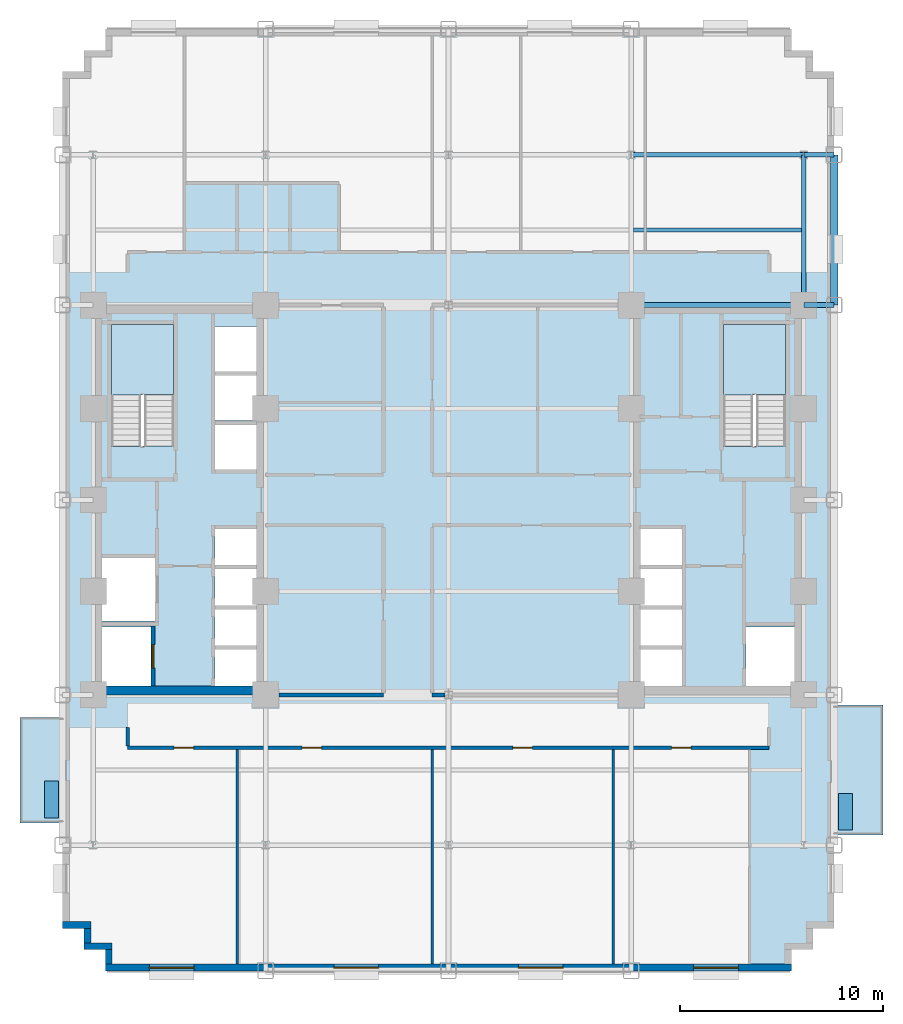
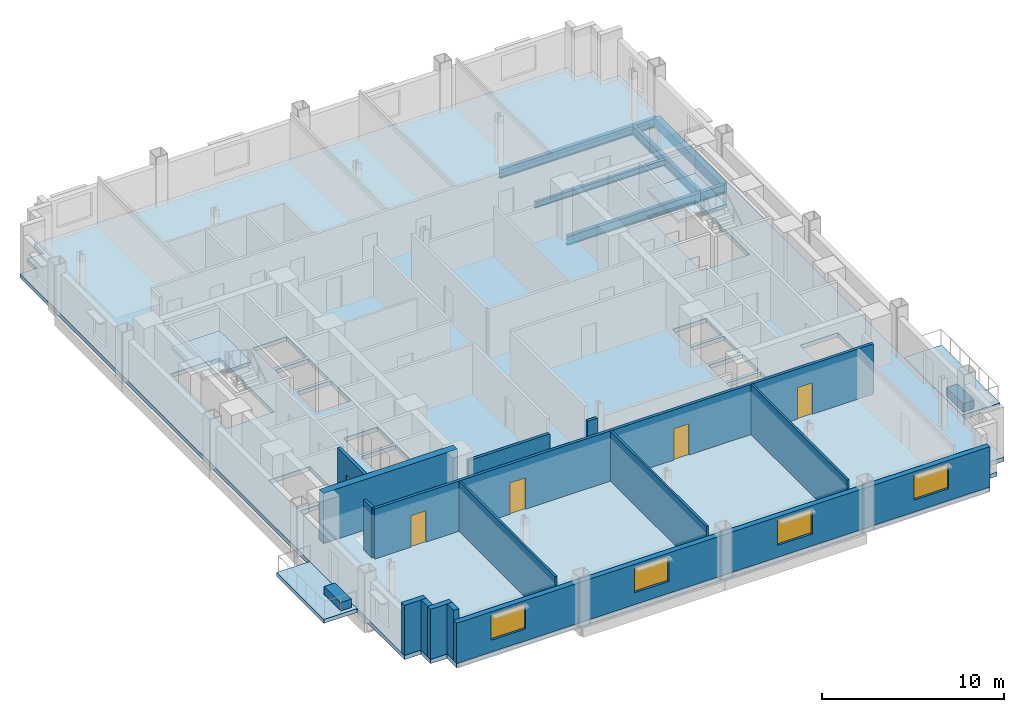
# One storey, part 4 of 12: 14 walls, 7 beams, 5 doors, 5 slabs, 4 windows, 2 plates, 9 openings, 2 elements without a shape of their own.
"""IFC4 building model written with IfcOpenShell, lengths in metres."""

from ifc_helpers import new_model, si_unit, direction, frame, frame_2d, origin, origin_2d, place, context, subcontext, project, spatial, polyline, rectangle, i_section, outline, extrude, source, transform, mapped, material, layer, layer_set, material_profile, profile_set, type_object, type_shapes, element, fill, aggregate, save


model = new_model("IFC4")

# Units and contexts
model_context = context("Model", 3, precision=1e-05, world=origin(), true_north=direction((0.0, 1.0)))
body_context = subcontext(model_context, "Body", "Model", "MODEL_VIEW")
ifc_project = project(units=[si_unit("LENGTHUNIT", "METRE"), si_unit("AREAUNIT", "SQUARE_METRE"), si_unit("VOLUMEUNIT", "CUBIC_METRE"), si_unit("PLANEANGLEUNIT", "RADIAN"), si_unit("MASSUNIT", "GRAM", prefix="KILO")], contexts=[model_context])

# Site, building, storey
site_placement = place(None, origin())
site = spatial("IfcSite", under=ifc_project, at=site_placement, CompositionType="ELEMENT")
building_placement = place(site_placement, origin())
building = spatial("IfcBuilding", under=site, at=building_placement, Name="Nuvemarco Arch Tower", CompositionType="ELEMENT")
storey_placement = place(building_placement, frame((0.0, 0.0, 45.85009765625)))
storey = spatial("IfcBuildingStorey", under=building, at=storey_placement, Name="L11", CompositionType="ELEMENT", Elevation=45.85009765625)

# Beams
ifc_material_1 = material(Name="Steel S355", Category="steel")
ifc_material_profile_1 = material_profile(ifc_material_1, i_section(OverallWidth=0.22998046875, OverallDepth=0.616943359375, WebThickness=0.01318359375, FlangeThickness=0.022216796875, FilletRadius=0.01611328125, at=origin_2d()), Name="W610x140")
ifc_profile_set_1 = profile_set([ifc_material_profile_1], Name="Steel S355")
beam_type_1 = type_object("IfcBeamType", Name="BM-GIRD-610", PredefinedType="BEAM", material=ifc_profile_set_1)
beam_1_placement = place(storey_placement, frame((17.5, 9.60009765625, -0.588623046875), z_axis=(0.0, 1.0, 0.0), x_axis=(-1.0, 0.0, 0.0)))
element("IfcBeam", 1, at=beam_1_placement, inside=storey, type_object=beam_type_1, Name="L11 structural beam BGNS_L11_0_+17.5_+9.6", PredefinedType="BEAM", context=body_context, shape_type="SweptSolid", body=[
    extrude(i_section(OverallWidth=0.22998046875, OverallDepth=0.616943359375, WebThickness=0.01318359375, FlangeThickness=0.022216796875, FilletRadius=0.01611328125, at=origin_2d()), origin(), (0.0, 0.0, 1.0), 7.39990234375),
])
beam_2_placement = place(storey_placement, frame((9.0, 9.60009765625, -0.588623046875), z_axis=(1.0, 0.0, 0.0), x_axis=(0.0, 1.0, 0.0)))
element("IfcBeam", 2, at=beam_2_placement, inside=storey, type_object=beam_type_1, Name="L11 structural beam BGEW_L11_0_+9.6_+9.0", PredefinedType="BEAM", context=body_context, shape_type="SweptSolid", body=[
    extrude(i_section(OverallWidth=0.22998046875, OverallDepth=0.616943359375, WebThickness=0.01318359375, FlangeThickness=0.022216796875, FilletRadius=0.01611328125, at=origin_2d()), origin(), (0.0, 0.0, 1.0), 8.5),
])
beam_3_placement = place(storey_placement, frame((17.5, 9.60009765625, -0.588623046875), z_axis=(1.0, 0.0, 0.0), x_axis=(0.0, 1.0, 0.0)))
element("IfcBeam", 3, at=beam_3_placement, inside=storey, type_object=beam_type_1, Name="L11 structural beam BGEW_L11_0_+9.6_+17.5", PredefinedType="BEAM", context=body_context, shape_type="SweptSolid", body=[
    extrude(i_section(OverallWidth=0.22998046875, OverallDepth=0.616943359375, WebThickness=0.01318359375, FlangeThickness=0.022216796875, FilletRadius=0.01611328125, at=origin_2d()), origin(), (0.0, 0.0, 1.0), 1.5),
])
beam_4_placement = place(storey_placement, frame((9.0, 17.0, -0.588623046875), z_axis=(1.0, 0.0, 0.0), x_axis=(0.0, 1.0, 0.0)))
element("IfcBeam", 4, at=beam_4_placement, inside=storey, type_object=beam_type_1, Name="L11 structural beam BGEW_L11_0_+17.0_+9.0", PredefinedType="BEAM", context=body_context, shape_type="SweptSolid", body=[
    extrude(i_section(OverallWidth=0.22998046875, OverallDepth=0.616943359375, WebThickness=0.01318359375, FlangeThickness=0.022216796875, FilletRadius=0.01611328125, at=origin_2d()), origin(), (0.0, 0.0, 1.0), 8.5),
])
beam_5_placement = place(storey_placement, frame((17.5, 17.0, -0.588623046875), z_axis=(1.0, 0.0, 0.0), x_axis=(0.0, 1.0, 0.0)))
element("IfcBeam", 5, at=beam_5_placement, inside=storey, type_object=beam_type_1, Name="L11 structural beam BGEW_L11_0_+17.0_+17.5", PredefinedType="BEAM", context=body_context, shape_type="SweptSolid", body=[
    extrude(i_section(OverallWidth=0.22998046875, OverallDepth=0.616943359375, WebThickness=0.01318359375, FlangeThickness=0.022216796875, FilletRadius=0.01611328125, at=origin_2d()), origin(), (0.0, 0.0, 1.0), 1.5),
])
ifc_material_profile_2 = material_profile(ifc_material_1, i_section(OverallWidth=0.179931640625, OverallDepth=0.4130859375, WebThickness=0.009765625, FlangeThickness=0.01611328125, FilletRadius=0.014892578125, at=origin_2d()), Name="W410x75")
ifc_profile_set_2 = profile_set([ifc_material_profile_2], Name="Steel S355")
beam_type_2 = type_object("IfcBeamType", Name="BM-JOIST-410", PredefinedType="JOIST", material=ifc_profile_set_2)
beam_6_placement = place(storey_placement, frame((9.114990234375, 13.300048828125, -0.486572265625), z_axis=(1.0, 0.0, 0.0), x_axis=(0.0, 1.0, 0.0)))
element("IfcBeam", 6, at=beam_6_placement, inside=storey, type_object=beam_type_2, Name="L11 structural beam BJ_L11_0_+13.3_+9.0", PredefinedType="JOIST", context=body_context, shape_type="SweptSolid", body=[
    extrude(i_section(OverallWidth=0.179931640625, OverallDepth=0.4130859375, WebThickness=0.009765625, FlangeThickness=0.01611328125, FilletRadius=0.014892578125, at=origin_2d()), origin(), (0.0, 0.0, 1.0), 8.27001953125),
])
ifc_material_2 = material(Name="Precast concrete C45/55", Category="concrete")
ifc_material_profile_3 = material_profile(ifc_material_2, rectangle(XDim=0.35009765625, YDim=0.64990234375, at=origin_2d()), Name="PC-SP-350x650")
ifc_profile_set_3 = profile_set([ifc_material_profile_3], Name="Precast concrete C45/55")
beam_type_3 = type_object("IfcBeamType", Name="BM-SPAN-RC", PredefinedType="SPANDREL", material=ifc_profile_set_3)
beam_7_placement = place(storey_placement, frame((19.0, 9.60009765625, -0.60498046875), z_axis=(0.0, 1.0, 0.0), x_axis=(-1.0, 0.0, 0.0)))
element("IfcBeam", 7, at=beam_7_placement, inside=storey, type_object=beam_type_3, Name="L11 structural beam BGNS_L11_0_+19.0_+9.6", PredefinedType="SPANDREL", context=body_context, shape_type="SweptSolid", body=[
    extrude(rectangle(XDim=0.35009765625, YDim=0.64990234375, at=origin_2d()), origin(), (0.0, 0.0, 1.0), 7.39990234375),
])

# Slab
ifc_material_3 = material(Name="Concrete C50/60", Category="concrete")
ifc_layer_1 = layer(ifc_material_3, 0.280029296875, Name="SL-FLR-280")
ifc_layer_set_1 = layer_set([ifc_layer_1], Name="Concrete C50/60")
slab_type_1 = type_object("IfcSlabType", Name="SL-FLR-280", PredefinedType="FLOOR", material=ifc_layer_set_1)
slab_1_placement = place(storey_placement, frame((0.0, 0.0, -0.280029296875)))
element("IfcSlab", 8, at=slab_1_placement, inside=storey, type_object=slab_type_1, Name="L11 structural floor slab", PredefinedType="FLOOR", context=body_context, shape_type="SweptSolid", body=[
    extrude(outline(polyline([(-16.89990234375, -23.199951171875), (16.89990234375, -23.199951171875), (16.89990234375, -22.14990234375), (17.949951171875, -22.14990234375), (17.949951171875, -21.10009765625), (19.0, -21.10009765625), (19.0, 21.10009765625), (17.949951171875, 21.10009765625), (17.949951171875, 22.14990234375), (16.89990234375, 22.14990234375), (16.89990234375, 23.199951171875), (-16.89990234375, 23.199951171875), (-16.89990234375, 22.14990234375), (-17.949951171875, 22.14990234375), (-17.949951171875, 21.10009765625), (-19.0, 21.10009765625), (-19.0, -21.10009765625), (-17.949951171875, -21.10009765625), (-17.949951171875, -22.14990234375), (-16.89990234375, -22.14990234375), (-16.89990234375, -23.199951171875)]), holes=[polyline([(-13.5400390625, 2.669921875), (-13.5400390625, 8.64990234375), (-16.60009765625, 8.64990234375), (-16.60009765625, 2.630615234375), (-15.070068359375, 2.630615234375), (-15.070068359375, 2.669921875), (-13.5400390625, 2.669921875)]), polyline([(16.60009765625, 2.669921875), (16.60009765625, 8.64990234375), (13.5400390625, 8.64990234375), (13.5400390625, 2.630615234375), (15.070068359375, 2.630615234375), (15.070068359375, 2.669921875), (16.60009765625, 2.669921875)]), polyline([(-17.050048828125, -9.14990234375), (-14.64990234375, -9.14990234375), (-14.64990234375, -6.25), (-17.050048828125, -6.25), (-17.050048828125, -9.14990234375)]), polyline([(-17.050048828125, -5.949951171875), (-14.449951171875, -5.949951171875), (-14.449951171875, -2.85009765625), (-17.050048828125, -2.85009765625), (-17.050048828125, -5.949951171875)]), polyline([(-11.5, -9.14990234375), (-9.35009765625, -9.14990234375), (-9.35009765625, -7.3701171875), (-11.5, -7.3701171875), (-11.5, -9.14990234375)]), polyline([(-11.5, -7.169921875), (-9.35009765625, -7.169921875), (-9.35009765625, -5.389892578125), (-11.5, -5.389892578125), (-11.5, -7.169921875)]), polyline([(-11.5, -5.18994140625), (-9.35009765625, -5.18994140625), (-9.35009765625, -3.409912109375), (-11.5, -3.409912109375), (-11.5, -5.18994140625)]), polyline([(-11.5, -3.2099609375), (-9.35009765625, -3.2099609375), (-9.35009765625, -1.429931640625), (-11.5, -1.429931640625), (-11.5, -3.2099609375)]), polyline([(-11.5, 1.5), (-9.35009765625, 1.5), (-9.35009765625, 3.699951171875), (-11.5, 3.699951171875), (-11.5, 1.5)]), polyline([(-11.5, 3.919921875), (-9.35009765625, 3.919921875), (-9.35009765625, 6.1201171875), (-11.5, 6.1201171875), (-11.5, 3.919921875)]), polyline([(-11.5, 6.340087890625), (-9.35009765625, 6.340087890625), (-9.35009765625, 8.5400390625), (-11.5, 8.5400390625), (-11.5, 6.340087890625)]), polyline([(14.64990234375, -9.14990234375), (17.050048828125, -9.14990234375), (17.050048828125, -6.25), (14.64990234375, -6.25), (14.64990234375, -9.14990234375)]), polyline([(9.35009765625, -9.14990234375), (11.5, -9.14990234375), (11.5, -7.3701171875), (9.35009765625, -7.3701171875), (9.35009765625, -9.14990234375)]), polyline([(9.35009765625, -7.169921875), (11.5, -7.169921875), (11.5, -5.389892578125), (9.35009765625, -5.389892578125), (9.35009765625, -7.169921875)]), polyline([(9.35009765625, -5.18994140625), (11.5, -5.18994140625), (11.5, -3.409912109375), (9.35009765625, -3.409912109375), (9.35009765625, -5.18994140625)]), polyline([(9.35009765625, -3.2099609375), (11.5, -3.2099609375), (11.5, -1.429931640625), (9.35009765625, -1.429931640625), (9.35009765625, -3.2099609375)])]), origin(), (0.0, 0.0, 1.0), 0.280029296875),
])

# Stair, slab
stair_type = type_object("IfcStairType", Name="ST-CORE-20R", PredefinedType="HALF_TURN_STAIR", material=ifc_material_2)
stair_1_placement = place(storey_placement, origin())
stair_1 = element("IfcStair", 9, at=stair_1_placement, inside=storey, type_object=stair_type, Name="L11 Protected Exit Stair ST-1", PredefinedType="HALF_TURN_STAIR")
ifc_layer_2 = layer(ifc_material_2, 0.199951171875, Name="SL-LANDING-200")
ifc_layer_set_2 = layer_set([ifc_layer_2], Name="Precast concrete C45/55")
slab_type_2 = type_object("IfcSlabType", Name="SL-LANDING-200", PredefinedType="LANDING", material=ifc_layer_set_2)
slab_2_placement = place(storey_placement, frame((0.0, 0.0, 1.625)))
slab_2 = element("IfcSlab", 10, at=slab_2_placement, type_object=slab_type_2, Name="ST-20R landing 1", PredefinedType="LANDING", context=body_context, shape_type="SweptSolid", body=[
    extrude(outline(polyline([(-13.5400390625, 5.189453125), (-13.5400390625, 8.64990234375), (-16.60009765625, 8.64990234375), (-16.60009765625, 5.169921875), (-15.070068359375, 5.169921875), (-15.070068359375, 5.189453125), (-13.5400390625, 5.189453125)])), origin(), (0.0, 0.0, 1.0), 0.199951171875),
])
aggregate(stair_1, [slab_2])

stair_2_placement = place(storey_placement, origin())
stair_2 = element("IfcStair", 11, at=stair_2_placement, inside=storey, type_object=stair_type, Name="L11 Protected Exit Stair ST-2", PredefinedType="HALF_TURN_STAIR")
slab_3_placement = place(storey_placement, frame((0.0, 0.0, 1.625)))
slab_3 = element("IfcSlab", 12, at=slab_3_placement, type_object=slab_type_2, Name="ST-20R landing 1", PredefinedType="LANDING", context=body_context, shape_type="SweptSolid", body=[
    extrude(outline(polyline([(16.60009765625, 5.189453125), (16.60009765625, 8.64990234375), (13.5400390625, 8.64990234375), (13.5400390625, 5.169921875), (15.070068359375, 5.169921875), (15.070068359375, 5.189453125), (16.60009765625, 5.189453125)])), origin(), (0.0, 0.0, 1.0), 0.199951171875),
])
aggregate(stair_2, [slab_3])

# Slabs
ifc_layer_3 = layer(ifc_material_3, 0.264892578125, Name="SL-TB1")
ifc_layer_set_3 = layer_set([ifc_layer_3], Name="Concrete C50/60")
slab_type_3 = type_object("IfcSlabType", Name="SL-TB1", PredefinedType="FLOOR", material=ifc_layer_set_3)
slab_4_placement = place(storey_placement, frame((0.0, 0.0, -0.26513671875)))
element("IfcSlab", 13, at=slab_4_placement, inside=storey, type_object=slab_type_3, Name="L11 outdoor tree balcony slab 2", PredefinedType="FLOOR", context=body_context, shape_type="SweptSolid", body=[
    extrude(outline(polyline([(-21.10009765625, -15.89990234375), (-19.0, -15.89990234375), (-19.0, -10.699951171875), (-21.10009765625, -10.699951171875), (-21.10009765625, -15.89990234375)])), origin(), (0.0, 0.0, 1.0), 0.26513671875),
])
ifc_layer_4 = layer(ifc_material_3, 0.294921875, Name="SL-TR4")
ifc_layer_set_4 = layer_set([ifc_layer_4], Name="Concrete C50/60")
slab_type_4 = type_object("IfcSlabType", Name="SL-TR4", PredefinedType="FLOOR", material=ifc_layer_set_4)
slab_5_placement = place(storey_placement, frame((0.0, 0.0, -0.295166015625)))
element("IfcSlab", 14, at=slab_5_placement, inside=storey, type_object=slab_type_4, Name="L11 outdoor spiral terrace slab 1", PredefinedType="FLOOR", context=body_context, shape_type="SweptSolid", body=[
    extrude(outline(polyline([(19.0, -16.5), (21.39990234375, -16.5), (21.39990234375, -10.10009765625), (19.0, -10.10009765625), (19.0, -16.5)])), origin(), (0.0, 0.0, 1.0), 0.295166015625),
])

# Plates
ifc_layer_5 = layer(ifc_material_2, 0.550048828125, Name="Tree Balcony Structural Planter")
ifc_layer_set_5 = layer_set([ifc_layer_5], Name="Precast concrete C45/55")
plate_type = type_object("IfcPlateType", Name="Tree Balcony Structural Planter", PredefinedType="USERDEFINED", material=ifc_layer_set_5)
shared_shape_1 = source(origin(), body_context, "Body", "SweptSolid", [
    extrude(rectangle(XDim=1.800048828125, YDim=0.699951171875, at=origin_2d()), origin(), (0.0, 0.0, 1.0), 0.550048828125),
])
type_shapes(plate_type, [shared_shape_1])
for number, where, z_axis, x_axis, name in (
    (15, (19.550048828125, -15.35009765625, 0.0), (0.0, 0.0, 1.0), (0.0, 1.0, 0.0), "L11 Tree Balcony Structural Planter"),
    (16, (-19.550048828125, -14.75, 0.0), (0.0, 0.0, 1.0), (0.0, 1.0, 0.0), "L11 Tree Balcony Structural Planter"),
):
    element("IfcPlate", number, at=place(storey_placement, frame(where, z_axis=z_axis, x_axis=x_axis)), inside=storey, type_object=plate_type, Name=name, ObjectType="PLANTER", PredefinedType="USERDEFINED", context=body_context, shape_type="MappedRepresentation", body=[
        mapped(shared_shape_1, transform((0.0, 0.0, 0.0), scale=1.0)),
    ])

# Wall, openings, windows
ifc_layer_6 = layer(ifc_material_2, 0.340087890625, Name="EW-LOW-340")
ifc_layer_set_6 = layer_set([ifc_layer_6], Name="Precast concrete C45/55")
wall_type_1 = type_object("IfcWallType", Name="EW-LOW-340", PredefinedType="STANDARD", material=ifc_layer_set_6)
wall_1_placement = place(storey_placement, frame((-16.89990234375, -23.030029296875, 0.0), z_axis=(0.0, 0.0, 1.0), x_axis=(1.0, 0.0, 0.0)))
wall_1 = element("IfcWall", 17, at=wall_1_placement, inside=storey, type_object=wall_type_1, Name="L11 exterior precast facade wall 1", PredefinedType="STANDARD", context=body_context, shape_type="SweptSolid", body=[
    extrude(rectangle(XDim=33.7998046875, YDim=0.340087890625, at=frame_2d((16.89990234375, 0.0))), origin(), (0.0, 0.0, 1.0), 2.704833984375),
])
opening_1_placement = place(wall_1_placement, frame((2.17138671875, 0.0, 0.800048828125)))
opening_1 = element("IfcOpeningElement", 18, at=opening_1_placement, cuts=wall_1, Name="Opening WN-3", PredefinedType="OPENING", context=body_context, shape_type="SweptSolid", body=[
    extrude(rectangle(XDim=2.199951171875, YDim=1.64990234375, at=frame_2d((1.10009765625, 0.824951171875))), frame((0.0, 0.179931640625, 0.0), z_axis=(0.0, -1.0, 0.0), x_axis=(1.0, 0.0, 0.0)), (0.0, 0.0, 1.0), 0.360107421875),
])
opening_2_placement = place(wall_1_placement, frame((11.257080078125, 0.0, 0.800048828125)))
opening_2 = element("IfcOpeningElement", 19, at=opening_2_placement, cuts=wall_1, Name="Opening WN-3", PredefinedType="OPENING", context=body_context, shape_type="SweptSolid", body=[
    extrude(rectangle(XDim=2.199951171875, YDim=1.64990234375, at=frame_2d((1.10009765625, 0.824951171875))), frame((0.0, 0.179931640625, 0.0), z_axis=(0.0, -1.0, 0.0), x_axis=(1.0, 0.0, 0.0)), (0.0, 0.0, 1.0), 0.360107421875),
])
opening_3_placement = place(wall_1_placement, frame((20.343017578125, 0.0, 0.800048828125)))
opening_3 = element("IfcOpeningElement", 20, at=opening_3_placement, cuts=wall_1, Name="Opening WN-3", PredefinedType="OPENING", context=body_context, shape_type="SweptSolid", body=[
    extrude(rectangle(XDim=2.199951171875, YDim=1.64990234375, at=frame_2d((1.10009765625, 0.824951171875))), frame((0.0, 0.179931640625, 0.0), z_axis=(0.0, -1.0, 0.0), x_axis=(1.0, 0.0, 0.0)), (0.0, 0.0, 1.0), 0.360107421875),
])
opening_4_placement = place(wall_1_placement, frame((28.978515625, 0.0, 0.800048828125)))
opening_4 = element("IfcOpeningElement", 21, at=opening_4_placement, cuts=wall_1, Name="Opening WN-3", PredefinedType="OPENING", context=body_context, shape_type="SweptSolid", body=[
    extrude(rectangle(XDim=2.199951171875, YDim=1.64990234375, at=frame_2d((1.10009765625, 0.824951171875))), frame((0.0, 0.179931640625, 0.0), z_axis=(0.0, -1.0, 0.0), x_axis=(1.0, 0.0, 0.0)), (0.0, 0.0, 1.0), 0.360107421875),
])
ifc_material_4 = material(Name="Insulated solar-control glass", Category="glass")
window_type = type_object("IfcWindowType", Name="WN-LOW-2200x1650", PartitioningType="DOUBLE_PANEL_VERTICAL", PredefinedType="WINDOW", material=ifc_material_4)
shared_shape_2 = source(origin(), body_context, "Body", "SweptSolid", [
    extrude(rectangle(XDim=2.199951171875, YDim=1.64990234375, at=frame_2d((1.10009765625, 0.824951171875))), frame((0.0, 0.030029296875, 0.0), z_axis=(0.0, -1.0, 0.0), x_axis=(1.0, 0.0, 0.0)), (0.0, 0.0, 1.0), 0.06005859375),
])
type_shapes(window_type, [shared_shape_2])
window_1_placement = place(opening_1_placement, origin())
window_1 = element("IfcWindow", 22, at=window_1_placement, inside=storey, type_object=window_type, Name="L11 punched facade window 1", OverallHeight=1.64990234375, OverallWidth=2.199951171875, PartitioningType="SINGLE_PANEL", PredefinedType="WINDOW", context=body_context, shape_type="MappedRepresentation", body=[
    mapped(shared_shape_2, transform((0.0, 0.0, 0.0), scale=1.0)),
])
fill(opening_1, window_1)
window_2_placement = place(opening_2_placement, origin())
window_2 = element("IfcWindow", 23, at=window_2_placement, inside=storey, type_object=window_type, Name="L11 punched facade window 3", OverallHeight=1.64990234375, OverallWidth=2.199951171875, PartitioningType="SINGLE_PANEL", PredefinedType="WINDOW", context=body_context, shape_type="MappedRepresentation", body=[
    mapped(shared_shape_2, transform((0.0, 0.0, 0.0), scale=1.0)),
])
fill(opening_2, window_2)
window_3_placement = place(opening_3_placement, origin())
window_3 = element("IfcWindow", 24, at=window_3_placement, inside=storey, type_object=window_type, Name="L11 punched facade window 5", OverallHeight=1.64990234375, OverallWidth=2.199951171875, PartitioningType="SINGLE_PANEL", PredefinedType="WINDOW", context=body_context, shape_type="MappedRepresentation", body=[
    mapped(shared_shape_2, transform((0.0, 0.0, 0.0), scale=1.0)),
])
fill(opening_3, window_3)
window_4_placement = place(opening_4_placement, origin())
window_4 = element("IfcWindow", 25, at=window_4_placement, inside=storey, type_object=window_type, Name="L11 punched facade window 7", OverallHeight=1.64990234375, OverallWidth=2.199951171875, PartitioningType="SINGLE_PANEL", PredefinedType="WINDOW", context=body_context, shape_type="MappedRepresentation", body=[
    mapped(shared_shape_2, transform((0.0, 0.0, 0.0), scale=1.0)),
])
fill(opening_4, window_4)

# Walls
wall_2_placement = place(storey_placement, frame((-19.0, -20.929931640625, 0.0), z_axis=(0.0, 0.0, 1.0), x_axis=(1.0, 0.0, 0.0)))
element("IfcWall", 26, at=wall_2_placement, inside=storey, type_object=wall_type_1, Name="L11 exterior precast facade wall 17", PredefinedType="STANDARD", context=body_context, shape_type="SweptSolid", body=[
    extrude(rectangle(XDim=1.389892578125, YDim=0.340087890625, at=frame_2d((0.69482421875, 0.0))), origin(), (0.0, 0.0, 1.0), 3.35986328125),
])
wall_3_placement = place(storey_placement, frame((-17.780029296875, -21.81396484375, 0.0), z_axis=(0.0, 0.0, 1.0), x_axis=(0.0, 1.0, 0.0)))
element("IfcWall", 27, at=wall_3_placement, inside=storey, type_object=wall_type_1, Name="L11 exterior precast facade wall 18", PredefinedType="STANDARD", context=body_context, shape_type="SweptSolid", body=[
    extrude(rectangle(XDim=0.718017578125, YDim=0.340087890625, at=frame_2d((0.35888671875, 0.0))), origin(), (0.0, 0.0, 1.0), 3.35986328125),
])
wall_4_placement = place(storey_placement, frame((-17.949951171875, -21.97998046875, 0.0), z_axis=(0.0, 0.0, 1.0), x_axis=(1.0, 0.0, 0.0)))
element("IfcWall", 28, at=wall_4_placement, inside=storey, type_object=wall_type_1, Name="L11 exterior precast facade wall 19", PredefinedType="STANDARD", context=body_context, shape_type="SweptSolid", body=[
    extrude(rectangle(XDim=1.389892578125, YDim=0.340087890625, at=frame_2d((0.69482421875, 0.0))), origin(), (0.0, 0.0, 1.0), 3.35986328125),
])
wall_5_placement = place(storey_placement, frame((-16.72998046875, -22.864013671875, 0.0), z_axis=(0.0, 0.0, 1.0), x_axis=(0.0, 1.0, 0.0)))
element("IfcWall", 29, at=wall_5_placement, inside=storey, type_object=wall_type_1, Name="L11 exterior precast facade wall 20", PredefinedType="STANDARD", context=body_context, shape_type="SweptSolid", body=[
    extrude(rectangle(XDim=0.718017578125, YDim=0.340087890625, at=frame_2d((0.35888671875, 0.0))), origin(), (0.0, 0.0, 1.0), 3.35986328125),
])
ifc_material_5 = material(Name="Concrete C60/75", Category="concrete")
ifc_layer_7 = layer(ifc_material_5, 0.449951171875, Name="WL-CORE-450")
ifc_layer_set_7 = layer_set([ifc_layer_7], Name="Concrete C60/75")
wall_type_2 = type_object("IfcWallType", Name="WL-CORE-450", PredefinedType="SHEAR", material=ifc_layer_set_7)
wall_6_placement = place(storey_placement, frame((-17.5, -9.375, 0.0), z_axis=(0.0, 0.0, 1.0), x_axis=(1.0, 0.0, 0.0)))
element("IfcWall", 30, at=wall_6_placement, inside=storey, type_object=wall_type_2, Name="L11 W-core shear wall S", PredefinedType="SHEAR", context=body_context, shape_type="SweptSolid", body=[
    extrude(rectangle(XDim=8.5, YDim=0.449951171875, at=frame_2d((4.25, 0.0))), origin(), (0.0, 0.0, 1.0), 3.369873046875),
])

# Wall, openings, doors
ifc_material_6 = material(Name="Fire-rated gypsum drywall partition")
ifc_layer_8 = layer(ifc_material_6, 0.179931640625, Name="WL-CORR-180")
ifc_layer_set_8 = layer_set([ifc_layer_8], Name="Fire-rated gypsum drywall partition")
wall_type_3 = type_object("IfcWallType", Name="WL-CORR-180", PredefinedType="PARTITIONING", material=ifc_layer_set_8)
wall_7_placement = place(storey_placement, frame((-15.800048828125, -12.199951171875, 0.0), z_axis=(0.0, 0.0, 1.0), x_axis=(1.0, 0.0, 0.0)))
wall_7 = element("IfcWall", 31, at=wall_7_placement, inside=storey, type_object=wall_type_3, Name="L11 interior wall IW-L11-001", PredefinedType="PARTITIONING", context=body_context, shape_type="SweptSolid", body=[
    extrude(rectangle(XDim=31.60009765625, YDim=0.179931640625, at=frame_2d((15.800048828125, 0.0))), origin(), (0.0, 0.0, 1.0), 3.35986328125),
])
opening_5_placement = place(wall_7_placement, frame((18.97509765625, 0.0, 0.0)))
opening_5 = element("IfcOpeningElement", 32, at=opening_5_placement, cuts=wall_7, Name="Opening FD-5", PredefinedType="OPENING", context=body_context, shape_type="SweptSolid", body=[
    extrude(rectangle(XDim=0.9599609375, YDim=2.10009765625, at=frame_2d((0.47998046875, 1.050048828125))), frame((0.0, 0.099853515625, 0.0), z_axis=(0.0, -1.0, 0.0), x_axis=(1.0, 0.0, 0.0)), (0.0, 0.0, 1.0), 0.199951171875),
])
opening_6_placement = place(wall_7_placement, frame((8.590087890625, 0.0, 0.0)))
opening_6 = element("IfcOpeningElement", 33, at=opening_6_placement, cuts=wall_7, Name="Opening FD-5", PredefinedType="OPENING", context=body_context, shape_type="SweptSolid", body=[
    extrude(rectangle(XDim=0.9599609375, YDim=2.10009765625, at=frame_2d((0.47998046875, 1.050048828125))), frame((0.0, 0.099853515625, 0.0), z_axis=(0.0, -1.0, 0.0), x_axis=(1.0, 0.0, 0.0)), (0.0, 0.0, 1.0), 0.199951171875),
])
opening_7_placement = place(wall_7_placement, frame((26.794921875, 0.0, 0.0)))
opening_7 = element("IfcOpeningElement", 34, at=opening_7_placement, cuts=wall_7, Name="Opening FD-5", PredefinedType="OPENING", context=body_context, shape_type="SweptSolid", body=[
    extrude(rectangle(XDim=0.9599609375, YDim=2.10009765625, at=frame_2d((0.47998046875, 1.050048828125))), frame((0.0, 0.099853515625, 0.0), z_axis=(0.0, -1.0, 0.0), x_axis=(1.0, 0.0, 0.0)), (0.0, 0.0, 1.0), 0.199951171875),
])
opening_8_placement = place(wall_7_placement, frame((2.2900390625, 0.0, 0.0)))
opening_8 = element("IfcOpeningElement", 35, at=opening_8_placement, cuts=wall_7, Name="Opening FD-5", PredefinedType="OPENING", context=body_context, shape_type="SweptSolid", body=[
    extrude(rectangle(XDim=0.9599609375, YDim=2.10009765625, at=frame_2d((0.47998046875, 1.050048828125))), frame((0.0, 0.099853515625, 0.0), z_axis=(0.0, -1.0, 0.0), x_axis=(1.0, 0.0, 0.0)), (0.0, 0.0, 1.0), 0.199951171875),
])
ifc_material_7 = material(Name="Timber fire door", Category="wood")
door_type_1 = type_object("IfcDoorType", Name="DR-CORR-FD", OperationType="NOTDEFINED", PredefinedType="DOOR", material=ifc_material_7)
shared_shape_3 = source(origin(), body_context, "Body", "SweptSolid", [
    extrude(rectangle(XDim=0.9599609375, YDim=2.10009765625, at=frame_2d((0.47998046875, 1.050048828125))), frame((0.0, 0.02490234375, 0.0), z_axis=(0.0, -1.0, 0.0), x_axis=(1.0, 0.0, 0.0)), (0.0, 0.0, 1.0), 0.050048828125),
])
type_shapes(door_type_1, [shared_shape_3])
door_1_placement = place(opening_5_placement, origin())
door_1 = element("IfcDoor", 36, at=door_1_placement, inside=storey, type_object=door_type_1, Name="L11 door DR-L11-S_3", OperationType="SINGLE_SWING_RIGHT", OverallHeight=2.10009765625, OverallWidth=0.9599609375, PredefinedType="DOOR", context=body_context, shape_type="MappedRepresentation", body=[
    mapped(shared_shape_3, transform((0.0, 0.0, 0.0), scale=1.0)),
])
fill(opening_5, door_1)
door_2_placement = place(opening_6_placement, origin())
door_2 = element("IfcDoor", 37, at=door_2_placement, inside=storey, type_object=door_type_1, Name="L11 door DR-L11-S_2", OperationType="SINGLE_SWING_LEFT", OverallHeight=2.10009765625, OverallWidth=0.9599609375, PredefinedType="DOOR", context=body_context, shape_type="MappedRepresentation", body=[
    mapped(shared_shape_3, transform((0.0, 0.0, 0.0), scale=1.0)),
])
fill(opening_6, door_2)
door_3_placement = place(opening_7_placement, origin())
door_3 = element("IfcDoor", 38, at=door_3_placement, inside=storey, type_object=door_type_1, Name="L11 door DR-L11-S_4", OperationType="SINGLE_SWING_RIGHT", OverallHeight=2.10009765625, OverallWidth=0.9599609375, PredefinedType="DOOR", context=body_context, shape_type="MappedRepresentation", body=[
    mapped(shared_shape_3, transform((0.0, 0.0, 0.0), scale=1.0)),
])
fill(opening_7, door_3)
door_4_placement = place(opening_8_placement, origin())
door_4 = element("IfcDoor", 39, at=door_4_placement, inside=storey, type_object=door_type_1, Name="L11 door DR-L11-S_1", OperationType="SINGLE_SWING_RIGHT", OverallHeight=2.10009765625, OverallWidth=0.9599609375, PredefinedType="DOOR", context=body_context, shape_type="MappedRepresentation", body=[
    mapped(shared_shape_3, transform((0.0, 0.0, 0.0), scale=1.0)),
])
fill(opening_8, door_4)

# Walls
wall_8_placement = place(storey_placement, frame((-8.35400390625, -9.60009765625, 0.0), z_axis=(0.0, 0.0, 1.0), x_axis=(1.0, 0.0, 0.0)))
element("IfcWall", 40, at=wall_8_placement, inside=storey, type_object=wall_type_3, Name="L11 interior wall IW-L11-002", PredefinedType="PARTITIONING", context=body_context, shape_type="SweptSolid", body=[
    extrude(rectangle(XDim=5.154052734375, YDim=0.179931640625, at=frame_2d((2.5771484375, 0.0))), origin(), (0.0, 0.0, 1.0), 2.40478515625),
])
wall_9_placement = place(storey_placement, frame((-0.800048828125, -9.60009765625, 0.0), z_axis=(0.0, 0.0, 1.0), x_axis=(1.0, 0.0, 0.0)))
element("IfcWall", 41, at=wall_9_placement, inside=storey, type_object=wall_type_3, Name="L11 interior wall IW-L11-003", PredefinedType="PARTITIONING", context=body_context, shape_type="SweptSolid", body=[
    extrude(rectangle(XDim=0.6240234375, YDim=0.179931640625, at=frame_2d((0.31201171875, 0.0))), origin(), (0.0, 0.0, 1.0), 2.40478515625),
])
wall_10_placement = place(storey_placement, frame((-15.800048828125, -12.114013671875, 0.0), z_axis=(0.0, 0.0, 1.0), x_axis=(0.0, 1.0, 0.0)))
element("IfcWall", 42, at=wall_10_placement, inside=storey, type_object=wall_type_3, Name="L11 interior wall IW-L11-015", PredefinedType="PARTITIONING", context=body_context, shape_type="SweptSolid", body=[
    extrude(rectangle(XDim=0.9140625, YDim=0.179931640625, at=frame_2d((0.45703125, 0.0))), origin(), (0.0, 0.0, 1.0), 3.35986328125),
])
ifc_material_8 = material(Name="Glazed acoustic office partition")
ifc_layer_9 = layer(ifc_material_8, 0.1298828125, Name="WL-EXEC-130")
ifc_layer_set_9 = layer_set([ifc_layer_9], Name="Glazed acoustic office partition")
wall_type_4 = type_object("IfcWallType", Name="WL-EXEC-130", PredefinedType="PARTITIONING", material=ifc_layer_set_9)
for number, where, z_axis, x_axis, name in (
    (43, (-10.39990234375, -22.860107421875, 0.0), (0.0, 0.0, 1.0), (0.0, 1.0, 0.0), "L11 interior wall IW-L11-018"),
    (44, (-0.800048828125, -22.860107421875, 0.0), (0.0, 0.0, 1.0), (0.0, 1.0, 0.0), "L11 interior wall IW-L11-024"),
    (45, (8.110107421875, -22.860107421875, 0.0), (0.0, 0.0, 1.0), (0.0, 1.0, 0.0), "L11 interior wall IW-L11-030"),
):
    element("IfcWall", number, at=place(storey_placement, frame(where, z_axis=z_axis, x_axis=x_axis)), inside=storey, type_object=wall_type_4, Name=name, PredefinedType="PARTITIONING", context=body_context, shape_type="SweptSolid", body=[
        extrude(rectangle(XDim=10.57421875, YDim=0.1298828125, at=frame_2d((5.287109375, 0.0))), origin(), (0.0, 0.0, 1.0), 3.35986328125),
    ])

# Wall, opening, door
ifc_layer_10 = layer(ifc_material_3, 0.199951171875, Name="WL-SHAFT-220")
ifc_layer_set_10 = layer_set([ifc_layer_10], Name="Concrete C50/60")
wall_type_5 = type_object("IfcWallType", Name="WL-SHAFT-220", PredefinedType="SHEAR", material=ifc_layer_set_10)
wall_11_placement = place(storey_placement, frame((-14.550048828125, -9.155029296875, 0.0), z_axis=(0.0, 0.0, 1.0), x_axis=(0.0, 1.0, 0.0)))
wall_11 = element("IfcWall", 46, at=wall_11_placement, inside=storey, type_object=wall_type_5, Name="L11 structural shaft wall SW-L11-W-SHE", PredefinedType="SHEAR", context=body_context, shape_type="SweptSolid", body=[
    extrude(rectangle(XDim=2.9599609375, YDim=0.199951171875, at=frame_2d((1.47998046875, 0.0))), origin(), (0.0, 0.0, 1.0), 3.369873046875),
])
opening_9_placement = place(wall_11_placement, frame((0.8798828125, 0.0, 0.0)))
opening_9 = element("IfcOpeningElement", 47, at=opening_9_placement, cuts=wall_11, Name="Opening LD-2", PredefinedType="OPENING", context=body_context, shape_type="SweptSolid", body=[
    extrude(rectangle(XDim=1.14990234375, YDim=2.14990234375, at=frame_2d((0.574951171875, 1.074951171875))), frame((0.0, 0.10986328125, 0.0), z_axis=(0.0, -1.0, 0.0), x_axis=(1.0, 0.0, 0.0)), (0.0, 0.0, 1.0), 0.219970703125),
])
ifc_material_9 = material(Name="Stainless steel lift door", Category="steel")
door_type_2 = type_object("IfcDoorType", Name="DR-LIFT-FIRE", OperationType="DOUBLE_DOOR_SLIDING", PredefinedType="DOOR", material=ifc_material_9)
shared_shape_4 = source(origin(), body_context, "Body", "SweptSolid", [
    extrude(rectangle(XDim=1.14990234375, YDim=2.14990234375, at=frame_2d((0.574951171875, 1.074951171875))), frame((0.0, 0.02490234375, 0.0), z_axis=(0.0, -1.0, 0.0), x_axis=(1.0, 0.0, 0.0)), (0.0, 0.0, 1.0), 0.050048828125),
])
type_shapes(door_type_2, [shared_shape_4])
door_5_placement = place(opening_9_placement, origin())
door_5 = element("IfcDoor", 48, at=door_5_placement, inside=storey, type_object=door_type_2, Name="L11 Lift landing sliding door FFL-1", OperationType="DOUBLE_DOOR_SLIDING", OverallHeight=2.14990234375, OverallWidth=1.14990234375, PredefinedType="DOOR", context=body_context, shape_type="MappedRepresentation", body=[
    mapped(shared_shape_4, transform((0.0, 0.0, 0.0), scale=1.0)),
])
fill(opening_9, door_5)

save(model, "model.ifc")
